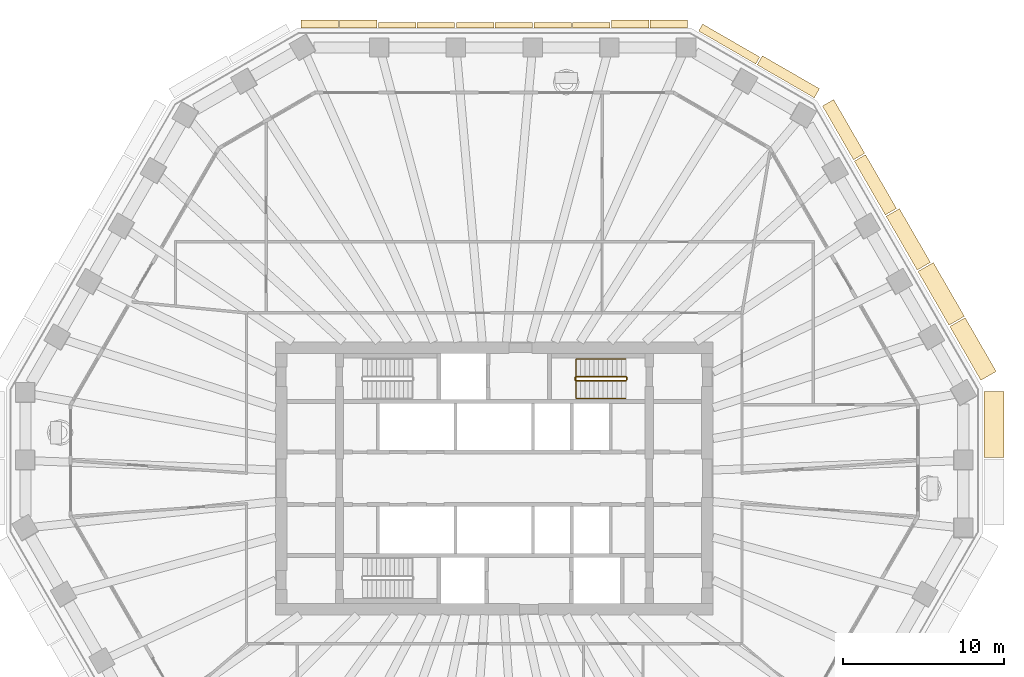
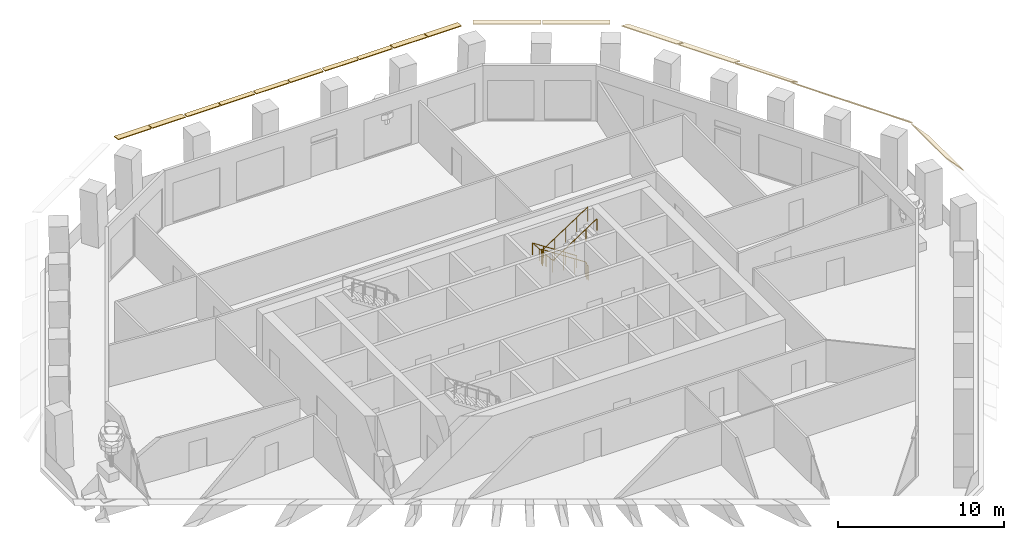
# One storey, part 10 of 12: 18 coverings, 2 railings.
"""IFC4 building model written with IfcOpenShell, lengths in metres."""

from ifc_helpers import new_model, si_unit, direction, frame, origin, origin_2d, place, context, subcontext, project, spatial, polyline, circle, outline, extrude, material, layer, layer_set, type_object, element, save


model = new_model("IFC4")

# Units and contexts
model_context = context("Model", 3, precision=1e-05, world=origin(), true_north=direction((0.0, 1.0)))
body_context = subcontext(model_context, "Body", "Model", "MODEL_VIEW")
ifc_project = project(units=[si_unit("LENGTHUNIT", "METRE"), si_unit("AREAUNIT", "SQUARE_METRE"), si_unit("VOLUMEUNIT", "CUBIC_METRE"), si_unit("PLANEANGLEUNIT", "RADIAN"), si_unit("MASSUNIT", "GRAM", prefix="KILO")], contexts=[model_context])

# Site, building, storey
site_placement = place(None, origin())
site = spatial("IfcSite", under=ifc_project, at=site_placement, CompositionType="ELEMENT")
building_placement = place(site_placement, origin())
building = spatial("IfcBuilding", under=site, at=building_placement, Name="Frailejon Research Tower", CompositionType="ELEMENT")
storey_placement = place(building_placement, frame((0.0, 0.0, 180.39990234375)))
storey = spatial("IfcBuildingStorey", under=building, at=storey_placement, Name="L39", CompositionType="ELEMENT", Elevation=180.39990234375)

# Coverings
ifc_material_1 = material(Name="Precast concrete C50/60", Category="concrete")
ifc_layer_1 = layer(ifc_material_1, 0.06005859375)
ifc_layer_set_1 = layer_set([ifc_layer_1], Name="Brim blade depth 1100")
covering_type_1 = type_object("IfcCoveringType", Name="Brim blade depth 1100", PredefinedType="CLADDING", material=ifc_layer_set_1)
for number, where, z_axis, x_axis, name in (
    (1, (28.22314453125, 9.40478515625, 4.25), (0.500002613071, -0.866023895122, 0.0), (0.866023895122, 0.500002613071, 0.0), "Brim blade L39"),
    (2, (26.2509765625, 12.82080078125, 4.25), (0.499983600053, -0.866034872091, 0.0), (0.866034872091, 0.499983600053, 0.0), "Brim blade L39"),
):
    element("IfcCovering", number, at=place(storey_placement, frame(where, z_axis=z_axis, x_axis=x_axis)), inside=storey, type_object=covering_type_1, Name=name, PredefinedType="CLADDING", context=body_context, shape_type="SweptSolid", body=[
        extrude(outline(polyline([(0.0, -0.078369140625), (1.10009765625, -1.001220703125), (1.10009765625, -0.923095703125), (0.0, 0.0), (0.0, -0.078369140625)])), origin(), (0.0, 0.0, 1.0), 3.844482421875),
    ])
ifc_material_2 = material(Name="Precast concrete C50/60", Category="concrete")
ifc_layer_2 = layer(ifc_material_2, 0.06005859375)
ifc_layer_set_2 = layer_set([ifc_layer_2], Name="Brim blade depth 1250")
covering_type_2 = type_object("IfcCoveringType", Name="Brim blade depth 1250", PredefinedType="CLADDING", material=ifc_layer_set_2)
covering_1_placement = place(storey_placement, frame((30.331298828125, 5.382080078125, 4.25), z_axis=(0.0, -1.0, 0.0), x_axis=(1.0, 0.0, 0.0)))
element("IfcCovering", 3, at=covering_1_placement, inside=storey, type_object=covering_type_2, Name="Brim blade L39", PredefinedType="CLADDING", context=body_context, shape_type="SweptSolid", body=[
    extrude(outline(polyline([(0.0, -0.0888671875), (1.25, -1.452880859375), (1.25, -1.364013671875), (0.0, 0.0), (0.0, -0.0888671875)])), origin(), (0.0, 0.0, 1.0), 4.08740234375),
])
ifc_material_3 = material(Name="Precast concrete C50/60", Category="concrete")
ifc_layer_3 = layer(ifc_material_3, 0.06005859375)
ifc_layer_set_3 = layer_set([ifc_layer_3], Name="Brim blade depth 350")
covering_type_3 = type_object("IfcCoveringType", Name="Brim blade depth 350", PredefinedType="CLADDING", material=ifc_layer_set_3)
for number, where, z_axis, x_axis, name in (
    (4, (4.8369140625, 27.89990234375, 4.25), (1.0, 0.0, 0.0), (0.0, 1.0, 0.0), "Brim blade L39"),
    (5, (2.453369140625, 27.89990234375, 4.25), (1.0, 0.0, 0.0), (0.0, 1.0, 0.0), "Brim blade L39"),
    (6, (0.030029296875, 27.89990234375, 4.25), (1.0, 0.0, 0.0), (0.0, 1.0, 0.0), "Brim blade L39"),
    (7, (-2.353515625, 27.89990234375, 4.25), (1.0, 0.0, 0.0), (0.0, 1.0, 0.0), "Brim blade L39"),
    (8, (-4.776611328125, 27.89990234375, 4.25), (1.0, 0.0, 0.0), (0.0, 1.0, 0.0), "Brim blade L39"),
    (9, (-7.16015625, 27.89990234375, 4.25), (1.0, 0.0, 0.0), (0.0, 1.0, 0.0), "Brim blade L39"),
):
    element("IfcCovering", number, at=place(storey_placement, frame(where, z_axis=z_axis, x_axis=x_axis)), inside=storey, type_object=covering_type_3, Name=name, PredefinedType="CLADDING", context=body_context, shape_type="SweptSolid", body=[
        extrude(outline(polyline([(0.0, -0.06005859375), (0.35009765625, -0.06005859375), (0.35009765625, 0.0), (0.0, 0.0), (0.0, -0.06005859375)])), origin(), (0.0, 0.0, 1.0), 2.323486328125),
    ])
ifc_material_4 = material(Name="Precast concrete C50/60", Category="concrete")
ifc_layer_4 = layer(ifc_material_4, 0.06005859375)
ifc_layer_set_4 = layer_set([ifc_layer_4], Name="Brim blade depth 500")
covering_type_4 = type_object("IfcCoveringType", Name="Brim blade depth 500", PredefinedType="CLADDING", material=ifc_layer_set_4)
covering_2_placement = place(storey_placement, frame((12.66015625, 27.714111328125, 4.25), z_axis=(0.866021344981, -0.500007029989, 0.0), x_axis=(0.500007029989, 0.866021344981, 0.0)))
element("IfcCovering", 10, at=covering_2_placement, inside=storey, type_object=covering_type_4, Name="Brim blade L39", PredefinedType="CLADDING", context=body_context, shape_type="SweptSolid", body=[
    extrude(outline(polyline([(0.0, -0.060546875), (0.5, -0.130859375), (0.5, -0.0703125), (0.0, 0.0), (0.0, -0.060546875)])), origin(), (0.0, 0.0, 1.0), 4.08740234375),
])
for number, where, z_axis, x_axis, name in (
    (11, (9.6435546875, 27.89990234375, 4.25), (1.0, 0.0, 0.0), (0.0, 1.0, 0.0), "Brim blade L39"),
    (12, (7.260009765625, 27.89990234375, 4.25), (1.0, 0.0, 0.0), (0.0, 1.0, 0.0), "Brim blade L39"),
    (13, (-9.58349609375, 27.89990234375, 4.25), (1.0, 0.0, 0.0), (0.0, 1.0, 0.0), "Brim blade L39"),
    (14, (-11.966796875, 27.89990234375, 4.25), (1.0, 0.0, 0.0), (0.0, 1.0, 0.0), "Brim blade L39"),
):
    element("IfcCovering", number, at=place(storey_placement, frame(where, z_axis=z_axis, x_axis=x_axis)), inside=storey, type_object=covering_type_4, Name=name, PredefinedType="CLADDING", context=body_context, shape_type="SweptSolid", body=[
        extrude(outline(polyline([(0.0, -0.060546875), (0.5, -0.130859375), (0.5, -0.0703125), (0.0, 0.0), (0.0, -0.060546875)])), origin(), (0.0, 0.0, 1.0), 2.323486328125),
    ])
ifc_material_5 = material(Name="Precast concrete C50/60", Category="concrete")
ifc_layer_5 = layer(ifc_material_5, 0.06005859375)
ifc_layer_set_5 = layer_set([ifc_layer_5], Name="Brim blade depth 650")
covering_type_5 = type_object("IfcCoveringType", Name="Brim blade depth 650", PredefinedType="CLADDING", material=ifc_layer_set_5)
covering_3_placement = place(storey_placement, frame((16.28662109375, 25.620361328125, 4.25), z_axis=(0.866021344981, -0.500007029989, 0.0), x_axis=(0.500007029989, 0.866021344981, 0.0)))
element("IfcCovering", 15, at=covering_3_placement, inside=storey, type_object=covering_type_5, Name="Brim blade L39", PredefinedType="CLADDING", context=body_context, shape_type="SweptSolid", body=[
    extrude(outline(polyline([(0.0, -0.0625), (0.64990234375, -0.248779296875), (0.64990234375, -0.186279296875), (0.0, 0.0), (0.0, -0.0625)])), origin(), (0.0, 0.0, 1.0), 4.08740234375),
])
ifc_material_6 = material(Name="Precast concrete C50/60", Category="concrete")
ifc_layer_6 = layer(ifc_material_6, 0.06005859375)
ifc_layer_set_6 = layer_set([ifc_layer_6], Name="Brim blade depth 800")
covering_type_6 = type_object("IfcCoveringType", Name="Brim blade depth 800", PredefinedType="CLADDING", material=ifc_layer_set_6)
for number, where, z_axis, x_axis, name in (
    (16, (22.306396484375, 19.653076171875, 4.25), (0.500002613071, -0.866023895122, 0.0), (0.866023895122, 0.500002613071, 0.0), "Brim blade L39"),
    (17, (20.333984375, 23.069091796875, 4.25), (0.500013590946, -0.866017556906, 0.0), (0.866017556906, 0.500013590946, 0.0), "Brim blade L39"),
):
    element("IfcCovering", number, at=place(storey_placement, frame(where, z_axis=z_axis, x_axis=x_axis)), inside=storey, type_object=covering_type_6, Name=name, PredefinedType="CLADDING", context=body_context, shape_type="SweptSolid", body=[
        extrude(outline(polyline([(0.0, -0.065673828125), (0.800048828125, -0.421875), (0.800048828125, -0.356201171875), (0.0, 0.0), (0.0, -0.065673828125)])), origin(), (0.0, 0.0, 1.0), 3.844482421875),
    ])
ifc_material_7 = material(Name="Precast concrete C50/60", Category="concrete")
ifc_layer_7 = layer(ifc_material_7, 0.06005859375)
ifc_layer_set_7 = layer_set([ifc_layer_7], Name="Brim blade depth 950")
covering_type_7 = type_object("IfcCoveringType", Name="Brim blade depth 950", PredefinedType="CLADDING", material=ifc_layer_set_7)
covering_4_placement = place(storey_placement, frame((24.27880859375, 16.237060546875, 4.25), z_axis=(0.500002613071, -0.866023895122, 0.0), x_axis=(0.866023895122, 0.500002613071, 0.0)))
element("IfcCovering", 18, at=covering_4_placement, inside=storey, type_object=covering_type_7, Name="Brim blade L39", PredefinedType="CLADDING", context=body_context, shape_type="SweptSolid", body=[
    extrude(outline(polyline([(0.0, -0.07080078125), (0.949951171875, -0.664306640625), (0.949951171875, -0.593505859375), (0.0, 0.0), (0.0, -0.07080078125)])), origin(), (0.0, 0.0, 1.0), 3.844482421875),
])

# Railings
ifc_material_8 = material(Name="Stainless steel", Category="steel")
railing_type_1 = type_object("IfcRailingType", Name="Stair guard 1100", PredefinedType="GUARDRAIL", material=ifc_material_8)
railing_1_placement = place(storey_placement, frame((8.199951171875, 6.10009765625, 0.0)))
element("IfcRailing", 19, at=railing_1_placement, inside=storey, type_object=railing_type_1, Name="L39 ST3 stair guard 1", PredefinedType="GUARDRAIL", context=body_context, shape_type="SweptSolid", body=[
    extrude(circle(Radius=0.02392578125, at=origin_2d()), frame((0.0, 0.0, 1.076171875), z_axis=(0.0, 1.0, 0.0), x_axis=(-1.0, 0.0, 0.0)), (0.0, 0.0, 1.0), 0.14990234375),
    extrude(circle(Radius=0.02392578125, at=origin_2d()), frame((0.0, 0.14990234375, 1.076171875), z_axis=(-0.254653276557, 0.254653276557, 0.932900539971), x_axis=(-0.707106781187, -0.707106781187, 0.0)), (0.0, 0.0, 1.0), 0.196533203125),
    extrude(circle(Radius=0.02392578125, at=origin_2d()), frame((-0.050048828125, 0.199951171875, 1.25927734375), z_axis=(-0.836582707638, 0.0, 0.547840645882), x_axis=(0.0, -1.0, 0.0)), (0.0, 0.0, 1.0), 3.681396484375),
    extrude(circle(Radius=0.02392578125, at=origin_2d()), frame((-3.1298828125, 0.199951171875, 3.2763671875), z_axis=(-0.707106781187, -0.707106781187, 0.0), x_axis=(0.707106781187, -0.707106781187, 0.0)), (0.0, 0.0, 1.0), 0.07080078125),
    extrude(circle(Radius=0.02392578125, at=origin_2d()), frame((-3.179931640625, 0.14990234375, 3.2763671875), z_axis=(0.0, -1.0, 0.0), x_axis=(1.0, 0.0, 0.0)), (0.0, 0.0, 1.0), 0.14990234375),
    extrude(circle(Radius=0.02392578125, at=origin_2d()), frame((-3.179931640625, 0.0, 3.2763671875), z_axis=(0.254653276557, -0.254653276557, 0.932900539971), x_axis=(0.707106781187, 0.707106781187, 0.0)), (0.0, 0.0, 1.0), 0.196533203125),
    extrude(circle(Radius=0.02392578125, at=origin_2d()), frame((-3.1298828125, -0.050048828125, 3.45947265625), z_axis=(0.836613101238, 0.0, 0.547794230379), x_axis=(0.0, 1.0, 0.0)), (0.0, 0.0, 1.0), 3.681396484375),
    extrude(circle(Radius=0.02099609375, at=origin_2d()), origin(), (0.0, 0.0, 1.0), 1.052001953125),
    extrude(circle(Radius=0.02099609375, at=origin_2d()), frame((0.0, 0.14990234375, 0.0)), (0.0, 0.0, 1.0), 1.052001953125),
    extrude(circle(Radius=0.02099609375, at=origin_2d()), frame((-0.050048828125, 0.199951171875, 0.183349609375)), (0.0, 0.0, 1.0), 1.052001953125),
    extrude(circle(Radius=0.02099609375, at=origin_2d()), frame((-0.820068359375, 0.199951171875, 0.6875)), (0.0, 0.0, 1.0), 1.052001953125),
    extrude(circle(Radius=0.02099609375, at=origin_2d()), frame((-1.58984375, 0.199951171875, 1.19189453125)), (0.0, 0.0, 1.0), 1.052001953125),
    extrude(circle(Radius=0.02099609375, at=origin_2d()), frame((-2.35986328125, 0.199951171875, 1.696044921875)), (0.0, 0.0, 1.0), 1.052001953125),
    extrude(circle(Radius=0.02099609375, at=origin_2d()), frame((-3.1298828125, 0.199951171875, 2.2001953125)), (0.0, 0.0, 1.0), 1.052001953125),
    extrude(circle(Radius=0.02099609375, at=origin_2d()), frame((-3.179931640625, 0.14990234375, 2.2001953125)), (0.0, 0.0, 1.0), 1.052001953125),
    extrude(circle(Radius=0.02099609375, at=origin_2d()), frame((-3.179931640625, 0.0, 2.2001953125)), (0.0, 0.0, 1.0), 1.052001953125),
    extrude(circle(Radius=0.02099609375, at=origin_2d()), frame((-3.1298828125, -0.050048828125, 2.383544921875)), (0.0, 0.0, 1.0), 1.052001953125),
    extrude(circle(Radius=0.02099609375, at=origin_2d()), frame((-2.35986328125, -0.050048828125, 2.8876953125)), (0.0, 0.0, 1.0), 1.052001953125),
    extrude(circle(Radius=0.02099609375, at=origin_2d()), frame((-1.58984375, -0.050048828125, 3.391845703125)), (0.0, 0.0, 1.0), 1.052001953125),
    extrude(circle(Radius=0.02099609375, at=origin_2d()), frame((-0.820068359375, -0.050048828125, 3.89599609375)), (0.0, 0.0, 1.0), 1.052001953125),
    extrude(circle(Radius=0.02099609375, at=origin_2d()), frame((-0.050048828125, -0.050048828125, 4.400146484375)), (0.0, 0.0, 1.0), 1.052001953125),
])
ifc_material_9 = material(Name="Stainless steel", Category="steel")
railing_type_2 = type_object("IfcRailingType", Name="Stair handrail 900", PredefinedType="HANDRAIL", material=ifc_material_9)
railing_2_placement = place(storey_placement, frame((8.14990234375, 7.39990234375, 0.183349609375)))
element("IfcRailing", 20, at=railing_2_placement, inside=storey, type_object=railing_type_2, Name="L39 ST3 stair handrail 1", PredefinedType="HANDRAIL", context=body_context, shape_type="SweptSolid", body=[
    extrude(circle(Radius=0.02392578125, at=origin_2d()), frame((0.0, 0.0, 0.8759765625), z_axis=(-0.836582707638, 0.0, 0.547840645882), x_axis=(0.0, -1.0, 0.0)), (0.0, 0.0, 1.0), 3.681396484375),
    extrude(circle(Radius=0.02392578125, at=origin_2d()), frame((-3.079833984375, 0.0, 2.892578125), z_axis=(0.0, -0.99721134034, 0.074629368868), x_axis=(1.0, 0.0, 0.0)), (0.0, 0.0, 1.0), 2.456787109375),
    extrude(circle(Radius=0.02392578125, at=origin_2d()), frame((-3.079833984375, -2.449951171875, 3.076171875), z_axis=(0.836613101238, 0.0, 0.547794230379), x_axis=(0.0, 1.0, 0.0)), (0.0, 0.0, 1.0), 3.681396484375),
    extrude(circle(Radius=0.02099609375, at=origin_2d()), origin(), (0.0, 0.0, 1.0), 0.851806640625),
    extrude(circle(Radius=0.02099609375, at=origin_2d()), frame((-0.77001953125, 0.0, 0.504150390625)), (0.0, 0.0, 1.0), 0.851806640625),
    extrude(circle(Radius=0.02099609375, at=origin_2d()), frame((-1.5400390625, 0.0, 1.00830078125)), (0.0, 0.0, 1.0), 0.851806640625),
    extrude(circle(Radius=0.02099609375, at=origin_2d()), frame((-2.309814453125, 0.0, 1.5126953125)), (0.0, 0.0, 1.0), 0.851806640625),
    extrude(circle(Radius=0.02099609375, at=origin_2d()), frame((-3.079833984375, 0.0, 2.016845703125)), (0.0, 0.0, 1.0), 0.851806640625),
    extrude(circle(Radius=0.02099609375, at=origin_2d()), frame((-3.079833984375, -0.816650390625, 2.077880859375)), (0.0, 0.0, 1.0), 0.851806640625),
    extrude(circle(Radius=0.02099609375, at=origin_2d()), frame((-3.079833984375, -1.63330078125, 2.13916015625)), (0.0, 0.0, 1.0), 0.851806640625),
    extrude(circle(Radius=0.02099609375, at=origin_2d()), frame((-3.079833984375, -2.449951171875, 2.2001953125)), (0.0, 0.0, 1.0), 0.851806640625),
    extrude(circle(Radius=0.02099609375, at=origin_2d()), frame((-2.309814453125, -2.449951171875, 2.704345703125)), (0.0, 0.0, 1.0), 0.851806640625),
    extrude(circle(Radius=0.02099609375, at=origin_2d()), frame((-1.5400390625, -2.449951171875, 3.20849609375)), (0.0, 0.0, 1.0), 0.851806640625),
    extrude(circle(Radius=0.02099609375, at=origin_2d()), frame((-0.77001953125, -2.449951171875, 3.712646484375)), (0.0, 0.0, 1.0), 0.851806640625),
    extrude(circle(Radius=0.02099609375, at=origin_2d()), frame((0.0, -2.449951171875, 4.216796875)), (0.0, 0.0, 1.0), 0.851806640625),
])

save(model, "model.ifc")
